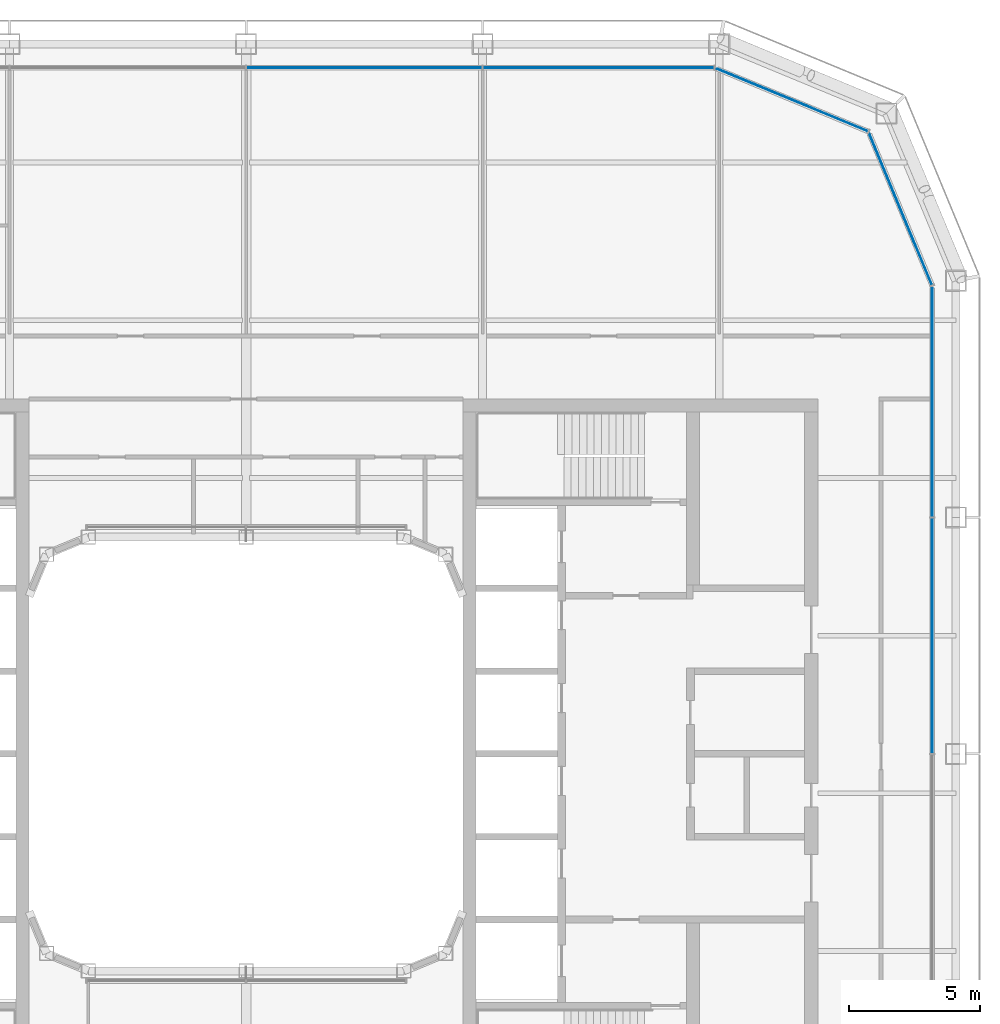
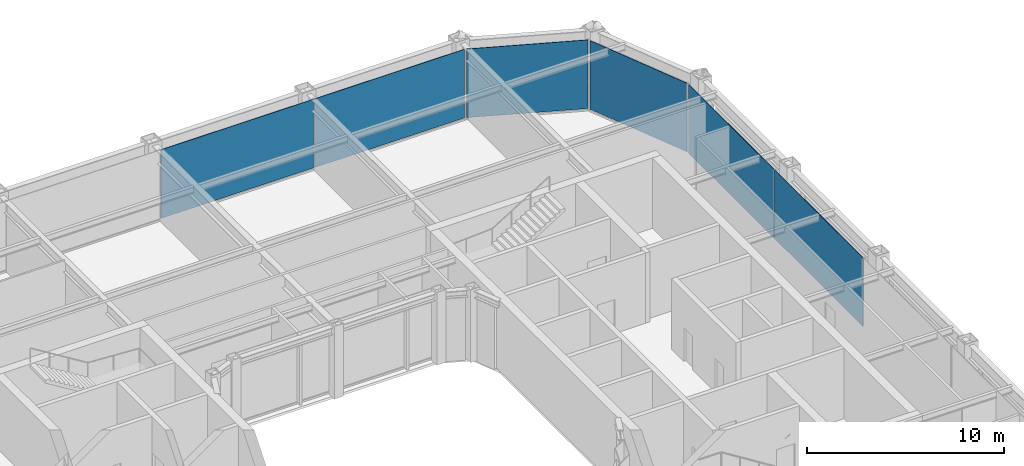
# One storey, part 12 of 23: 6 plates, 4 elements without a shape of their own.
"""IFC4 building model written with IfcOpenShell, lengths in metres."""

from ifc_helpers import new_model, si_unit, direction, frame, origin, origin_2d, place, context, subcontext, project, spatial, rectangle, extrude, material, layer, layer_set, type_object, element, aggregate, save


model = new_model("IFC4")

# Units and contexts
model_context = context("Model", 3, precision=1e-05, world=origin(), true_north=direction((0.0, 1.0)))
body_context = subcontext(model_context, "Body", "Model", "MODEL_VIEW")
ifc_project = project(units=[si_unit("LENGTHUNIT", "METRE"), si_unit("AREAUNIT", "SQUARE_METRE"), si_unit("VOLUMEUNIT", "CUBIC_METRE"), si_unit("PLANEANGLEUNIT", "RADIAN"), si_unit("MASSUNIT", "GRAM", prefix="KILO")], contexts=[model_context])

# Site, building, storey
site_placement = place(None, origin())
site = spatial("IfcSite", under=ifc_project, at=site_placement, CompositionType="ELEMENT")
building_placement = place(site_placement, origin())
building = spatial("IfcBuilding", under=site, at=building_placement, Name="Siwar Civic Tower", CompositionType="ELEMENT")
storey_placement = place(building_placement, frame((0.0, 0.0, 251.199951171875)))
storey = spatial("IfcBuildingStorey", under=building, at=storey_placement, Name="L54", CompositionType="ELEMENT", Elevation=251.199951171875)

# Curtain wall, plates
ifc_material_1 = material(Name="Aluminium and glass", Category="aluminium")
ifc_layer_1 = layer(ifc_material_1, 0.179931640625)
ifc_layer_set_1 = layer_set([ifc_layer_1], Name="Aluminium and glass")
curtain_wall_type_1 = type_object("IfcCurtainWallType", Name="ENV-CW-C", PredefinedType="NOTDEFINED", material=ifc_layer_set_1)
curtain_wall_1_placement = place(storey_placement, origin())
curtain_wall_1 = element("IfcCurtainWall", 1, at=curtain_wall_1_placement, inside=storey, type_object=curtain_wall_type_1, Name="Curtain wall C E", PredefinedType="NOTDEFINED")
ifc_material_2 = material(Name="Glass clear laminated", Category="glass")
ifc_layer_2 = layer(ifc_material_2, 0.031982421875)
ifc_layer_set_2 = layer_set([ifc_layer_2], Name="Glass clear laminated")
plate_type_1 = type_object("IfcPlateType", Name="ENV-PANEL-C", PredefinedType="CURTAIN_PANEL", material=ifc_layer_set_2)
plate_1_placement = place(storey_placement, frame((26.10009765625, 4.5, 0.10009765625), z_axis=(0.0, 0.0, 1.0), x_axis=(0.0, 1.0, 0.0)))
plate_1 = element("IfcPlate", 2, at=plate_1_placement, type_object=plate_type_1, Name="Curtain panel C E 3", PredefinedType="CURTAIN_PANEL", context=body_context, shape_type="SweptSolid", body=[
    extrude(rectangle(XDim=8.93994140625, YDim=0.031982421875, at=origin_2d()), origin(), (0.0, 0.0, 1.0), 4.25),
])
plate_2_placement = place(storey_placement, frame((26.10009765625, 13.373046875, 0.10009765625), z_axis=(0.0, 0.0, 1.0), x_axis=(0.0, 1.0, 0.0)))
plate_2 = element("IfcPlate", 3, at=plate_2_placement, type_object=plate_type_1, Name="Curtain panel C E 4", PredefinedType="CURTAIN_PANEL", context=body_context, shape_type="SweptSolid", body=[
    extrude(rectangle(XDim=8.68603515625, YDim=0.031982421875, at=origin_2d()), origin(), (0.0, 0.0, 1.0), 4.25),
])
aggregate(curtain_wall_1, [plate_1, plate_2])

curtain_wall_2_placement = place(storey_placement, origin())
curtain_wall_2 = element("IfcCurtainWall", 4, at=curtain_wall_2_placement, inside=storey, type_object=curtain_wall_type_1, Name="Curtain wall C N", PredefinedType="NOTDEFINED")
plate_3_placement = place(storey_placement, frame((13.410400390625, 26.10009765625, 0.10009765625), z_axis=(0.0, 0.0, 1.0), x_axis=(-1.0, 0.0, 0.0)))
plate_3 = element("IfcPlate", 5, at=plate_3_placement, type_object=plate_type_1, Name="Curtain panel C N 1", PredefinedType="CURTAIN_PANEL", context=body_context, shape_type="SweptSolid", body=[
    extrude(rectangle(XDim=8.760986328125, YDim=0.031982421875, at=origin_2d()), origin(), (0.0, 0.0, 1.0), 4.25),
])
plate_4_placement = place(storey_placement, frame((4.5, 26.10009765625, 0.10009765625), z_axis=(0.0, 0.0, 1.0), x_axis=(-1.0, 0.0, 0.0)))
plate_4 = element("IfcPlate", 6, at=plate_4_placement, type_object=plate_type_1, Name="Curtain panel C N 2", PredefinedType="CURTAIN_PANEL", context=body_context, shape_type="SweptSolid", body=[
    extrude(rectangle(XDim=8.93994140625, YDim=0.031982421875, at=origin_2d()), origin(), (0.0, 0.0, 1.0), 4.25),
])
aggregate(curtain_wall_2, [plate_3, plate_4])

# Curtain wall, plate
ifc_material_3 = material(Name="Aluminium clad insulated panel", Category="aluminium")
ifc_layer_3 = layer(ifc_material_3, 0.179931640625)
ifc_layer_set_3 = layer_set([ifc_layer_3], Name="Aluminium clad insulated panel")
curtain_wall_type_2 = type_object("IfcCurtainWallType", Name="ENV-CW-CX", PredefinedType="NOTDEFINED", material=ifc_layer_set_3)
curtain_wall_3_placement = place(storey_placement, origin())
curtain_wall_3 = element("IfcCurtainWall", 7, at=curtain_wall_3_placement, inside=storey, type_object=curtain_wall_type_2, Name="Curtain wall C NE1", PredefinedType="NOTDEFINED")
ifc_material_4 = material(Name="Aluminium clad insulated panel", Category="aluminium")
ifc_layer_4 = layer(ifc_material_4, 0.031982421875)
ifc_layer_set_4 = layer_set([ifc_layer_4], Name="Aluminium clad insulated panel")
plate_type_2 = type_object("IfcPlateType", Name="ENV-PANEL-CX", PredefinedType="CURTAIN_PANEL", material=ifc_layer_set_4)
plate_5_placement = place(storey_placement, frame((24.90185546875, 20.71337890625, 0.10009765625), z_axis=(0.0, 0.0, 1.0), x_axis=(-0.382683432365, 0.923879532511, 0.0)))
plate_5 = element("IfcPlate", 8, at=plate_5_placement, type_object=plate_type_2, Name="Curtain panel C NE1 1", PredefinedType="CURTAIN_PANEL", context=body_context, shape_type="SweptSolid", body=[
    extrude(rectangle(XDim=6.20166015625, YDim=0.031982421875, at=origin_2d()), origin(), (0.0, 0.0, 1.0), 4.25),
])
aggregate(curtain_wall_3, [plate_5])

curtain_wall_4_placement = place(storey_placement, origin())
curtain_wall_4 = element("IfcCurtainWall", 9, at=curtain_wall_4_placement, inside=storey, type_object=curtain_wall_type_2, Name="Curtain wall C NE2", PredefinedType="NOTDEFINED")
plate_6_placement = place(storey_placement, frame((20.78271484375, 24.873291015625, 0.10009765625), z_axis=(0.0, 0.0, 1.0), x_axis=(-0.923879532511, 0.382683432365, 0.0)))
plate_6 = element("IfcPlate", 10, at=plate_6_placement, type_object=plate_type_2, Name="Curtain panel C NE2 1", PredefinedType="CURTAIN_PANEL", context=body_context, shape_type="SweptSolid", body=[
    extrude(rectangle(XDim=6.20166015625, YDim=0.031982421875, at=origin_2d()), origin(), (0.0, 0.0, 1.0), 4.25),
])
aggregate(curtain_wall_4, [plate_6])

save(model, "model.ifc")
